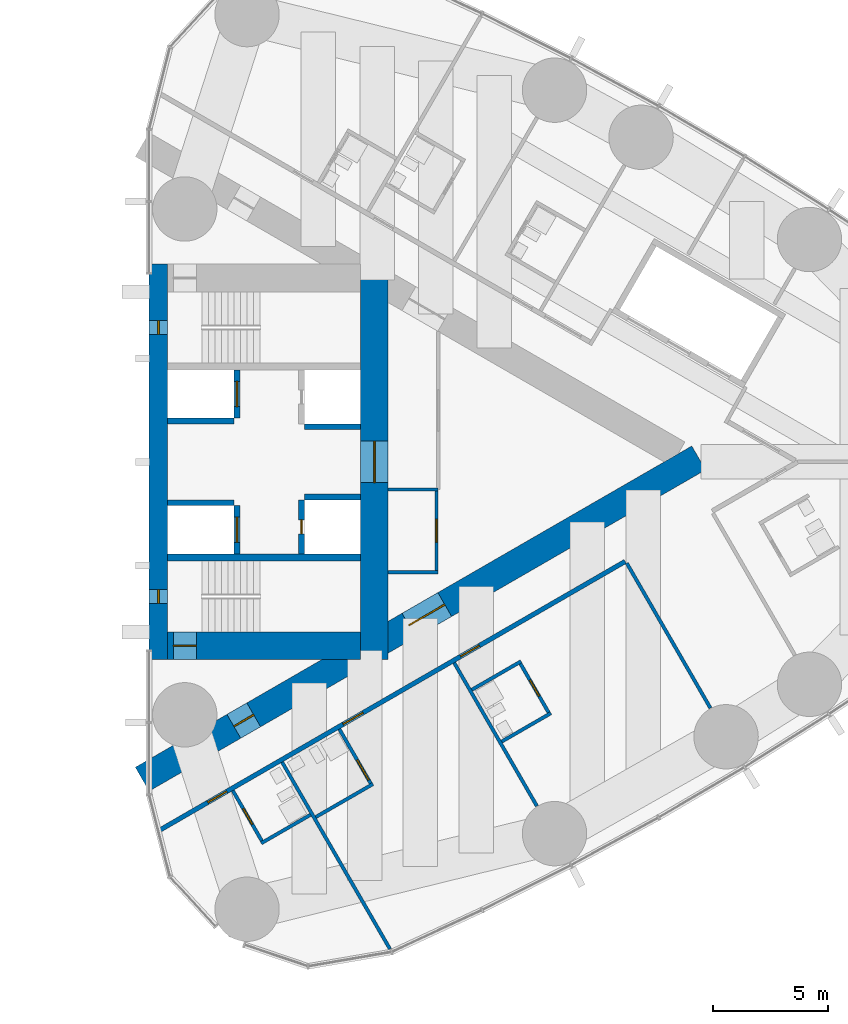
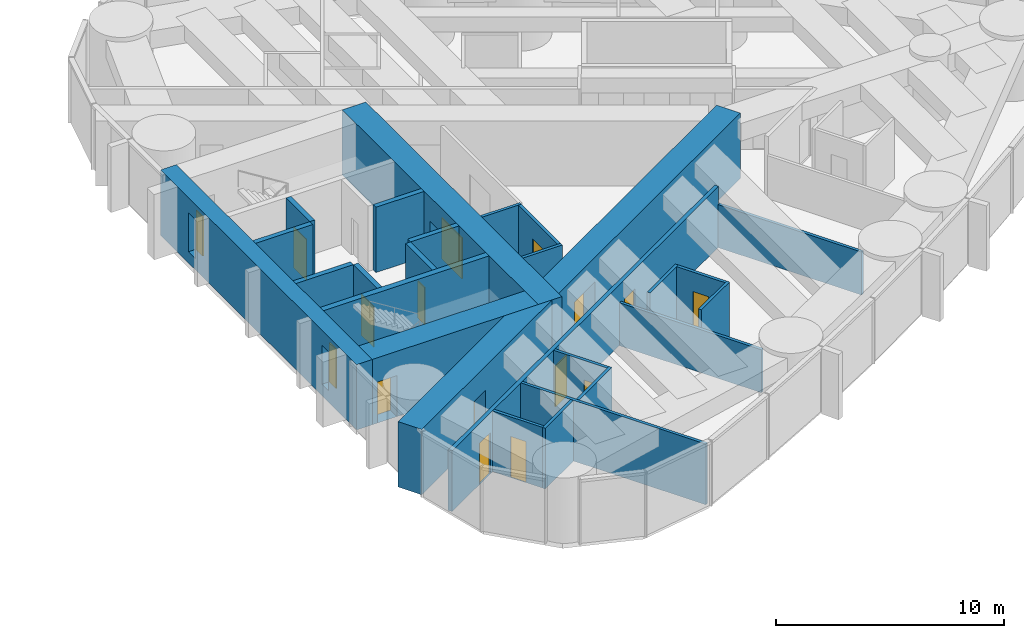
# One storey, part 14 of 19: 26 walls, 14 doors, 2 windows, 16 openings.
"""IFC4 building model written with IfcOpenShell, lengths in metres."""

import ifcopenshell
import ifcopenshell.guid

model = None  # the IFC model being written
_history = None  # IfcOwnerHistory: only IFC2X3 demands one
_inside = {}  # id of a spatial element -> (the spatial element, [elements in it])
_under = {}  # id of a project, library or spatial element -> (it, [spatial elements below it])
_declared = {}  # id of a project -> (the project, [libraries it declares])
_typed = {}  # id of a type object -> (the type object, [elements of that type])
_made_of = {}  # id of a material, layer set ... -> (it, [elements and type objects made of it])


def new_model(schema):
    """Start an empty IFC model of exactly this schema.

    Asked for "IFC4X3", IfcOpenShell would pick the latest addendum, in which some entities
    have other attributes; the version numbers below select the first issue.
    IFC2X3 requires an IfcOwnerHistory on every rooted entity: one is made here for all.
    """
    global model, _history
    if schema == "IFC4X3":
        model = ifcopenshell.file(schema_version=(4, 3, 0, 0))
    else:
        model = ifcopenshell.file(schema=schema)
    _inside.clear()
    _under.clear()
    _declared.clear()
    _typed.clear()
    _made_of.clear()
    _history = None
    if model.schema == "IFC2X3":
        org = make("IfcOrganization", Name="unknown")
        user = make(
            "IfcPersonAndOrganization",
            ThePerson=make("IfcPerson", FamilyName="unknown"),
            TheOrganization=org,
        )
        app = make(
            "IfcApplication",
            ApplicationDeveloper=org,
            Version="unknown",
            ApplicationFullName="unknown",
            ApplicationIdentifier="unknown",
        )
        _history = make(
            "IfcOwnerHistory",
            OwningUser=user,
            OwningApplication=app,
            ChangeAction="ADDED",
            CreationDate=0,
        )
    return model


def make(cls, **values):
    """One entity of the class cls with the attributes given. An attribute that is None is left unset."""
    return model.create_entity(
        cls, **{name: value for name, value in values.items() if value is not None}
    )


def rooted(cls, **values):
    """An entity with a GlobalId (a new one), such as an element, a storey or a relation."""
    return make(cls, GlobalId=ifcopenshell.guid.new(), OwnerHistory=_history, **values)


def si_unit(unit_type, name, prefix=None):
    """IfcSIUnit, for example si_unit("LENGTHUNIT", "METRE", prefix="MILLI")."""
    return make("IfcSIUnit", UnitType=unit_type, Prefix=prefix, Name=name)


def assignment(units):
    """IfcUnitAssignment: the units of a project."""
    return None if units is None else make("IfcUnitAssignment", Units=units)


def point(xyz):
    """IfcCartesianPoint."""
    return None if xyz is None else make("IfcCartesianPoint", Coordinates=xyz)


def direction(xyz):
    """IfcDirection."""
    return None if xyz is None else make("IfcDirection", DirectionRatios=xyz)


def frame(location, z_axis=None, x_axis=None):
    """IfcAxis2Placement3D, a coordinate frame: its origin and axes. An axis left out is left unset."""
    return make(
        "IfcAxis2Placement3D",
        Location=point(location),
        Axis=direction(z_axis),
        RefDirection=direction(x_axis),
    )


def frame_2d(location, x_axis=None):
    """IfcAxis2Placement2D, a coordinate frame in the plane: its origin and x axis."""
    return make(
        "IfcAxis2Placement2D", Location=point(location), RefDirection=direction(x_axis)
    )


def origin():
    """The frame at (0, 0, 0) with its axes left unset."""
    return frame((0.0, 0.0, 0.0))


def place(relative_to, where):
    """IfcLocalPlacement: puts the frame where relative to a parent placement (None: the world)."""
    return make(
        "IfcLocalPlacement", PlacementRelTo=relative_to, RelativePlacement=where
    )


def context(
    kind, dimensions, precision=None, world=None, true_north=None, identifier=None
):
    """IfcGeometricRepresentationContext, for example the 3D "Model" context."""
    return make(
        "IfcGeometricRepresentationContext",
        ContextIdentifier=identifier,
        ContextType=kind,
        CoordinateSpaceDimension=dimensions,
        Precision=precision,
        WorldCoordinateSystem=world,
        TrueNorth=true_north,
    )


def subcontext(parent, identifier, kind, view, scale=None):
    """IfcGeometricRepresentationSubContext, for example "Body" below "Model"."""
    return make(
        "IfcGeometricRepresentationSubContext",
        ContextIdentifier=identifier,
        ContextType=kind,
        ParentContext=parent,
        TargetScale=scale,
        TargetView=view,
    )


def project(units=None, contexts=None):
    """IfcProject with its units and contexts."""
    return rooted(
        "IfcProject",
        Name="project",
        RepresentationContexts=contexts,
        UnitsInContext=assignment(units),
    )


def spatial(cls, under=None, at=None, **own):
    """A site, building, storey or space (cls), placed at a placement, below another one or the project."""
    s = rooted(cls, ObjectPlacement=at, **own)
    if under is not None:
        _under.setdefault(under.id(), (under, []))[1].append(s)
    return s


def profile(cls, at=None, kind="AREA", **sizes):
    """A parametric profile (cls). Its sizes go by their IFC names, for example OverallWidth=200.0."""
    return make(cls, ProfileType=kind, Position=at, **sizes)


def rectangle(**sizes):
    """IfcRectangleProfileDef."""
    return profile("IfcRectangleProfileDef", **sizes)


def extrude(swept, where, along, depth):
    """IfcExtrudedAreaSolid: the profile swept, set in the frame where, extruded along a direction by depth."""
    return make(
        "IfcExtrudedAreaSolid",
        SweptArea=swept,
        Position=where,
        ExtrudedDirection=direction(along),
        Depth=depth,
    )


def shape(context_of_items, identifier, shape_type, items):
    """IfcShapeRepresentation: the items that make up one representation, for example the "Body"."""
    return make(
        "IfcShapeRepresentation",
        ContextOfItems=context_of_items,
        RepresentationIdentifier=identifier,
        RepresentationType=shape_type,
        Items=items,
    )


def material(Name=None, Category=None):
    """IfcMaterial."""
    return make("IfcMaterial", Name=Name, Category=Category)


def layer(
    of_material, thickness, ventilated=None, Name=None, Category=None, Priority=None
):
    """IfcMaterialLayer: one layer of a wall or slab, of a material (None: an air gap)."""
    return make(
        "IfcMaterialLayer",
        Material=of_material,
        LayerThickness=thickness,
        IsVentilated=ventilated,
        Name=Name,
        Category=Category,
        Priority=Priority,
    )


def layer_set(layers, Name=None):
    """IfcMaterialLayerSet."""
    return make("IfcMaterialLayerSet", MaterialLayers=layers, LayerSetName=Name)


def made_of(thing, what):
    """Note that an element or type object is made of a material, layer set ...; save() writes the relation."""
    if what is not None:
        _made_of.setdefault(what.id(), (what, []))[1].append(thing)
    return thing


def type_object(cls, material=None, **own):
    """A type object (cls), such as IfcWallType, which elements share."""
    return made_of(rooted(cls, **own), material)


def element(
    cls,
    number,
    at=None,
    inside=None,
    cuts=None,
    type_object=None,
    material=None,
    context=None,
    identifier="Body",
    shape_type=None,
    held_by="IfcProductDefinitionShape",
    body=None,
    shapes=None,
    **own,
):
    """One element of the class cls, such as IfcWall. Its Tag is "e" and its number.

    at: its placement. inside: the storey or other place that contains it. cuts: it is an
    opening in that element (IfcRelVoidsElement). A single representation is given by context,
    identifier, shape_type and body (its items); several are given by shapes. held_by: the class
    of the entity that holds the representations. save() writes the other relations.
    """
    e = rooted(cls, Tag="e%d" % number, ObjectPlacement=at, **own)
    if body is not None:
        shapes = [shape(context, identifier, shape_type, body)]
    if shapes is not None:
        e.Representation = make(held_by, Representations=shapes)
    if inside is not None:
        _inside.setdefault(inside.id(), (inside, []))[1].append(e)
    if cuts is not None:
        rooted(
            "IfcRelVoidsElement", RelatingBuildingElement=cuts, RelatedOpeningElement=e
        )
    if type_object is not None:
        _typed.setdefault(type_object.id(), (type_object, []))[1].append(e)
    return made_of(e, material)


def fill(opening, filler):
    """IfcRelFillsElement: the door or window that sits in an opening."""
    return rooted(
        "IfcRelFillsElement",
        RelatingOpeningElement=opening,
        RelatedBuildingElement=filler,
    )


def aggregate(whole, parts):
    """IfcRelAggregates: a whole, such as a stair, and the parts it consists of."""
    return rooted("IfcRelAggregates", RelatingObject=whole, RelatedObjects=parts)


def save(model, path):
    """Write the relations noted so far, then the file.

    IfcRelAggregates (storeys below a building ...), IfcRelContainedInSpatialStructure (elements
    in a storey), IfcRelDefinesByType, IfcRelAssociatesMaterial and IfcRelDeclares: one each for
    every whole, place, type object, material and project.
    """
    for whole, parts in _under.values():
        aggregate(whole, parts)
    for where, things in _inside.values():
        rooted(
            "IfcRelContainedInSpatialStructure",
            RelatedElements=things,
            RelatingStructure=where,
        )
    for kind, things in _typed.values():
        rooted("IfcRelDefinesByType", RelatedObjects=things, RelatingType=kind)
    for what, things in _made_of.values():
        rooted("IfcRelAssociatesMaterial", RelatedObjects=things, RelatingMaterial=what)
    for by, libraries in _declared.values():
        rooted("IfcRelDeclares", RelatingContext=by, RelatedDefinitions=libraries)
    model.write(path)


model = new_model("IFC4")

# Units and contexts
model_context = context("Model", 3, precision=1e-05, world=origin(), true_north=direction((0.0, 1.0)))
body_context = subcontext(model_context, "Body", "Model", "MODEL_VIEW")
ifc_project = project(units=[si_unit("LENGTHUNIT", "METRE"), si_unit("AREAUNIT", "SQUARE_METRE"), si_unit("VOLUMEUNIT", "CUBIC_METRE"), si_unit("PLANEANGLEUNIT", "RADIAN"), si_unit("MASSUNIT", "GRAM", prefix="KILO")], contexts=[model_context])

# Site, building, storey
site_placement = place(None, origin())
site = spatial("IfcSite", under=ifc_project, at=site_placement, CompositionType="ELEMENT")
building_placement = place(site_placement, origin())
building = spatial("IfcBuilding", under=site, at=building_placement, Name="Lancet Gate Hotel", CompositionType="ELEMENT")
storey_placement = place(building_placement, frame((0.0, 0.0, 184.300048828125)))
storey = spatial("IfcBuildingStorey", under=building, at=storey_placement, Name="L49", CompositionType="ELEMENT", Elevation=184.300048828125)

# Wall
ifc_material_1 = material(Name="Moisture resistant board partition")
ifc_layer_1 = layer(ifc_material_1, 0.14990234375)
ifc_layer_set_1 = layer_set([ifc_layer_1], Name="Bathroom wall 150")
wall_type_1 = type_object("IfcWallType", Name="Bathroom wall 150", PredefinedType="PARTITIONING", material=ifc_layer_set_1)
wall_1_placement = place(storey_placement, frame((32.375244140625, -16.58544921875, 0.0), z_axis=(0.0, 0.0, 1.0), x_axis=(0.86604923931, 0.499958713387, 0.0)))
element("IfcWall", 1, at=wall_1_placement, inside=storey, type_object=wall_type_1, Name="T2 bathroom wall 150 L49", PredefinedType="PARTITIONING", context=body_context, shape_type="SweptSolid", body=[
    extrude(rectangle(XDim=2.474853515625, YDim=0.14990234375, at=frame_2d((1.2373046875, 0.0))), origin(), (0.0, 0.0, 1.0), 3.25),
])

# Wall, opening, door
wall_2_placement = place(storey_placement, frame((31.14013671875, -14.29638671875, 0.0), z_axis=(0.0, 0.0, 1.0), x_axis=(0.500006934395, -0.866021400173, 0.0)))
wall_2 = element("IfcWall", 2, at=wall_2_placement, inside=storey, type_object=wall_type_1, Name="T2 bathroom wall 150 L49", PredefinedType="PARTITIONING", context=body_context, shape_type="SweptSolid", body=[
    extrude(rectangle(XDim=2.60009765625, YDim=0.14990234375, at=frame_2d((1.300048828125, 0.0))), origin(), (0.0, 0.0, 1.0), 3.25),
])
opening_1_placement = place(wall_2_placement, frame((0.89990234375, 0.0, 0.0)))
opening_1 = element("IfcOpeningElement", 3, at=opening_1_placement, cuts=wall_2, Name="Opening 4951-B", PredefinedType="OPENING", context=body_context, shape_type="SweptSolid", body=[
    extrude(rectangle(XDim=0.800048828125, YDim=2.199951171875, at=frame_2d((0.39990234375, 1.10009765625))), frame((0.0, 0.0849609375, 0.0), z_axis=(0.0, -1.0, 0.0), x_axis=(1.0, 0.0, 0.0)), (0.0, 0.0, 1.0), 0.169921875),
])
ifc_material_2 = material(Name="Timber door set", Category="wood")
door_type_1 = type_object("IfcDoorType", Name="Bathroom door 800", OperationType="SINGLE_SWING_RIGHT", PredefinedType="DOOR", material=ifc_material_2)
door_1_placement = place(opening_1_placement, origin())
door_1 = element("IfcDoor", 4, at=door_1_placement, inside=storey, type_object=door_type_1, Name="4951-B", OperationType="SINGLE_SWING_RIGHT", OverallHeight=2.199951171875, OverallWidth=0.800048828125, PredefinedType="DOOR", context=body_context, shape_type="SweptSolid", body=[
    extrude(rectangle(XDim=0.800048828125, YDim=2.199951171875, at=frame_2d((0.39990234375, 1.10009765625))), frame((0.0, 0.02490234375, 0.0), z_axis=(0.0, -1.0, 0.0), x_axis=(1.0, 0.0, 0.0)), (0.0, 0.0, 1.0), 0.050048828125),
])
fill(opening_1, door_1)

# Wall
wall_3_placement = place(storey_placement, frame((34.74853515625, -15.4462890625, 0.0), z_axis=(0.0, 0.0, 1.0), x_axis=(0.866018712932, 0.500011588718, 0.0)))
element("IfcWall", 5, at=wall_3_placement, inside=storey, type_object=wall_type_1, Name="T2 bathroom wall 150 L49", PredefinedType="PARTITIONING", context=body_context, shape_type="SweptSolid", body=[
    extrude(rectangle(XDim=2.875, YDim=0.14990234375, at=frame_2d((1.4375, 0.0))), origin(), (0.0, 0.0, 1.0), 3.25),
])

# Wall, opening, door
wall_4_placement = place(storey_placement, frame((35.7734375, -11.621337890625, 0.0), z_axis=(0.0, 0.0, 1.0), x_axis=(0.49998411664, -0.866034573852, 0.0)))
wall_4 = element("IfcWall", 6, at=wall_4_placement, inside=storey, type_object=wall_type_1, Name="T2 bathroom wall 150 L49", PredefinedType="PARTITIONING", context=body_context, shape_type="SweptSolid", body=[
    extrude(rectangle(XDim=2.7998046875, YDim=0.14990234375, at=frame_2d((1.39990234375, 0.0))), origin(), (0.0, 0.0, 1.0), 3.25),
])
opening_2_placement = place(wall_4_placement, frame((1.550048828125, 0.0, 0.0)))
opening_2 = element("IfcOpeningElement", 7, at=opening_2_placement, cuts=wall_4, Name="Opening 4952-B", PredefinedType="OPENING", context=body_context, shape_type="SweptSolid", body=[
    extrude(rectangle(XDim=1.0, YDim=2.199951171875, at=frame_2d((0.5, 1.10009765625))), frame((0.0, 0.0849609375, 0.0), z_axis=(0.0, -1.0, 0.0), x_axis=(1.0, 0.0, 0.0)), (0.0, 0.0, 1.0), 0.169921875),
])
ifc_material_3 = material(Name="Timber door set", Category="wood")
door_type_2 = type_object("IfcDoorType", Name="Accessible en-suite door 1000", OperationType="SINGLE_SWING_RIGHT", PredefinedType="DOOR", material=ifc_material_3)
door_2_placement = place(opening_2_placement, origin())
door_2 = element("IfcDoor", 8, at=door_2_placement, inside=storey, type_object=door_type_2, Name="4952-B", OperationType="SINGLE_SWING_RIGHT", OverallHeight=2.199951171875, OverallWidth=1.0, PredefinedType="DOOR", context=body_context, shape_type="SweptSolid", body=[
    extrude(rectangle(XDim=1.0, YDim=2.199951171875, at=frame_2d((0.5, 1.10009765625))), frame((0.0, 0.02490234375, 0.0), z_axis=(0.0, -1.0, 0.0), x_axis=(1.0, 0.0, 0.0)), (0.0, 0.0, 1.0), 0.050048828125),
])
fill(opening_2, door_2)

# Wall
wall_5_placement = place(storey_placement, frame((42.834228515625, -12.16357421875, 0.0), z_axis=(0.0, 0.0, 1.0), x_axis=(0.866031185235, 0.4999899861, 0.0)))
element("IfcWall", 9, at=wall_5_placement, inside=storey, type_object=wall_type_1, Name="T2 bathroom wall 150 L49", PredefinedType="PARTITIONING", context=body_context, shape_type="SweptSolid", body=[
    extrude(rectangle(XDim=2.47509765625, YDim=0.14990234375, at=frame_2d((1.237548828125, 0.0))), origin(), (0.0, 0.0, 1.0), 3.25),
])

# Wall, opening, door
wall_6_placement = place(storey_placement, frame((43.61279296875, -8.7119140625, 0.0), z_axis=(0.0, 0.0, 1.0), x_axis=(0.500006934395, -0.866021400173, 0.0)))
wall_6 = element("IfcWall", 10, at=wall_6_placement, inside=storey, type_object=wall_type_1, Name="T2 bathroom wall 150 L49", PredefinedType="PARTITIONING", context=body_context, shape_type="SweptSolid", body=[
    extrude(rectangle(XDim=2.60009765625, YDim=0.14990234375, at=frame_2d((1.300048828125, 0.0))), origin(), (0.0, 0.0, 1.0), 3.25),
])
opening_3_placement = place(wall_6_placement, frame((0.89990234375, 0.0, 0.0)))
opening_3 = element("IfcOpeningElement", 11, at=opening_3_placement, cuts=wall_6, Name="Opening 4954-B", PredefinedType="OPENING", context=body_context, shape_type="SweptSolid", body=[
    extrude(rectangle(XDim=0.800048828125, YDim=2.199951171875, at=frame_2d((0.39990234375, 1.10009765625))), frame((0.0, 0.0849609375, 0.0), z_axis=(0.0, -1.0, 0.0), x_axis=(1.0, 0.0, 0.0)), (0.0, 0.0, 1.0), 0.169921875),
])
door_3_placement = place(opening_3_placement, origin())
door_3 = element("IfcDoor", 12, at=door_3_placement, inside=storey, type_object=door_type_1, Name="4954-B", OperationType="SINGLE_SWING_RIGHT", OverallHeight=2.199951171875, OverallWidth=0.800048828125, PredefinedType="DOOR", context=body_context, shape_type="SweptSolid", body=[
    extrude(rectangle(XDim=0.800048828125, YDim=2.199951171875, at=frame_2d((0.39990234375, 1.10009765625))), frame((0.0, 0.02490234375, 0.0), z_axis=(0.0, -1.0, 0.0), x_axis=(1.0, 0.0, 0.0)), (0.0, 0.0, 1.0), 0.050048828125),
])
fill(opening_3, door_3)

# Wall
wall_7_placement = place(storey_placement, frame((41.5341796875, -9.911865234375, 0.0), z_axis=(0.0, 0.0, 1.0), x_axis=(0.866031185235, 0.4999899861, 0.0)))
element("IfcWall", 13, at=wall_7_placement, inside=storey, type_object=wall_type_1, Name="T2 bathroom wall 150 L49", PredefinedType="PARTITIONING", context=body_context, shape_type="SweptSolid", body=[
    extrude(rectangle(XDim=2.47509765625, YDim=0.14990234375, at=frame_2d((1.237548828125, 0.0))), origin(), (0.0, 0.0, 1.0), 3.25),
])

# Wall, openings, doors
ifc_material_4 = material(Name="Concrete C70/85", Category="concrete")
ifc_layer_2 = layer(ifc_material_4, 1.199951171875)
ifc_layer_set_2 = layer_set([ifc_layer_2], Name="Buttress wall 1200")
wall_type_2 = type_object("IfcWallType", Name="Buttress wall 1200", PredefinedType="SHEAR", material=ifc_layer_set_2)
wall_8_placement = place(storey_placement, frame((27.199951171875, -13.800048828125, 0.0), z_axis=(0.0, 0.0, 1.0), x_axis=(0.866027159892, 0.499996958321, 0.0)))
wall_8 = element("IfcWall", 14, at=wall_8_placement, inside=storey, type_object=wall_type_2, Name="T2 buttress wall S L49", PredefinedType="SHEAR", context=body_context, shape_type="SweptSolid", body=[
    extrude(rectangle(XDim=27.946533203125, YDim=1.199951171875, at=frame_2d((13.97314453125, 0.0))), origin(), (0.0, 0.0, 1.0), 3.5),
])
opening_4_placement = place(wall_8_placement, frame((4.60009765625, 0.0, 0.0)))
opening_4 = element("IfcOpeningElement", 15, at=opening_4_placement, cuts=wall_8, Name="Opening T2-L49-LS", PredefinedType="OPENING", context=body_context, shape_type="SweptSolid", body=[
    extrude(rectangle(XDim=1.0, YDim=2.199951171875, at=frame_2d((0.5, 1.10009765625))), frame((0.0, 0.60986328125, 0.0), z_axis=(0.0, -1.0, 0.0), x_axis=(1.0, 0.0, 0.0)), (0.0, 0.0, 1.0), 1.219970703125),
])
opening_5_placement = place(wall_8_placement, frame((13.39453125, 0.0, 0.0)))
opening_5 = element("IfcOpeningElement", 16, at=opening_5_placement, cuts=wall_8, Name="Opening T2-L49-LHS", PredefinedType="OPENING", context=body_context, shape_type="SweptSolid", body=[
    extrude(rectangle(XDim=1.800048828125, YDim=2.199951171875, at=frame_2d((0.89990234375, 1.10009765625))), frame((0.0, 0.60986328125, 0.0), z_axis=(0.0, -1.0, 0.0), x_axis=(1.0, 0.0, 0.0)), (0.0, 0.0, 1.0), 1.219970703125),
])
ifc_material_5 = material(Name="Timber door set", Category="wood")
door_type_3 = type_object("IfcDoorType", Name="Lobby double door 1800", OperationType="DOUBLE_DOOR_SINGLE_SWING", PredefinedType="DOOR", material=ifc_material_5)
door_4_placement = place(opening_5_placement, origin())
door_4 = element("IfcDoor", 17, at=door_4_placement, inside=storey, type_object=door_type_3, Name="T2-L49-LHS", OperationType="DOUBLE_DOOR_SINGLE_SWING", OverallHeight=2.199951171875, OverallWidth=1.800048828125, PredefinedType="DOOR", context=body_context, shape_type="SweptSolid", body=[
    extrude(rectangle(XDim=1.800048828125, YDim=2.199951171875, at=frame_2d((0.89990234375, 1.10009765625))), frame((0.0, 0.02490234375, 0.0), z_axis=(0.0, -1.0, 0.0), x_axis=(1.0, 0.0, 0.0)), (0.0, 0.0, 1.0), 0.050048828125),
])
fill(opening_5, door_4)
ifc_material_6 = material(Name="Timber door set", Category="wood")
door_type_4 = type_object("IfcDoorType", Name="Stair lobby door 1000", OperationType="SINGLE_SWING_LEFT", PredefinedType="DOOR", material=ifc_material_6)
door_5_placement = place(opening_4_placement, origin())
door_5 = element("IfcDoor", 18, at=door_5_placement, inside=storey, type_object=door_type_4, Name="T2-L49-LS", OperationType="SINGLE_SWING_LEFT", OverallHeight=2.199951171875, OverallWidth=1.0, PredefinedType="DOOR", context=body_context, shape_type="SweptSolid", body=[
    extrude(rectangle(XDim=1.0, YDim=2.199951171875, at=frame_2d((0.5, 1.10009765625))), frame((0.0, 0.02490234375, 0.0), z_axis=(0.0, -1.0, 0.0), x_axis=(1.0, 0.0, 0.0)), (0.0, 0.0, 1.0), 0.050048828125),
])
fill(opening_4, door_5)

# Wall, opening, door
ifc_material_7 = material(Name="Concrete C70/85", Category="concrete")
ifc_layer_3 = layer(ifc_material_7, 1.199951171875)
ifc_layer_set_3 = layer_set([ifc_layer_3], Name="Core wall 1200")
wall_type_3 = type_object("IfcWallType", Name="Core wall 1200", PredefinedType="SHEAR", material=ifc_layer_set_3)
wall_9_placement = place(storey_placement, frame((37.300048828125, -8.60009765625, 0.0), z_axis=(0.0, 0.0, 1.0), x_axis=(0.0, 1.0, 0.0)))
wall_9 = element("IfcWall", 19, at=wall_9_placement, inside=storey, type_object=wall_type_3, Name="T2 core wall back L49", PredefinedType="SHEAR", context=body_context, shape_type="SweptSolid", body=[
    extrude(rectangle(XDim=17.2001953125, YDim=1.199951171875, at=frame_2d((8.60009765625, 0.0))), origin(), (0.0, 0.0, 1.0), 3.5),
])
opening_6_placement = place(wall_9_placement, frame((7.699951171875, 0.0, 0.0)))
opening_6 = element("IfcOpeningElement", 20, at=opening_6_placement, cuts=wall_9, Name="Opening T2-L49-LL", PredefinedType="OPENING", context=body_context, shape_type="SweptSolid", body=[
    extrude(rectangle(XDim=1.800048828125, YDim=2.199951171875, at=frame_2d((0.89990234375, 1.10009765625))), frame((0.0, 0.60986328125, 0.0), z_axis=(0.0, -1.0, 0.0), x_axis=(1.0, 0.0, 0.0)), (0.0, 0.0, 1.0), 1.219970703125),
])
door_6_placement = place(opening_6_placement, origin())
door_6 = element("IfcDoor", 21, at=door_6_placement, inside=storey, type_object=door_type_3, Name="T2-L49-LL", OperationType="DOUBLE_DOOR_SINGLE_SWING", OverallHeight=2.199951171875, OverallWidth=1.800048828125, PredefinedType="DOOR", context=body_context, shape_type="SweptSolid", body=[
    extrude(rectangle(XDim=1.800048828125, YDim=2.199951171875, at=frame_2d((0.89990234375, 1.10009765625))), frame((0.0, 0.02490234375, 0.0), z_axis=(0.0, -1.0, 0.0), x_axis=(1.0, 0.0, 0.0)), (0.0, 0.0, 1.0), 0.050048828125),
])
fill(opening_6, door_6)

wall_10_placement = place(storey_placement, frame((28.300048828125, -8.0, 0.0), z_axis=(0.0, 0.0, 1.0), x_axis=(1.0, 0.0, 0.0)))
wall_10 = element("IfcWall", 22, at=wall_10_placement, inside=storey, type_object=wall_type_3, Name="T2 core wall side-S L49", PredefinedType="SHEAR", context=body_context, shape_type="SweptSolid", body=[
    extrude(rectangle(XDim=8.39990234375, YDim=1.199951171875, at=frame_2d((4.199951171875, 0.0))), origin(), (0.0, 0.0, 1.0), 3.5),
])
opening_7_placement = place(wall_10_placement, frame((0.25, 0.0, 0.0)))
opening_7 = element("IfcOpeningElement", 23, at=opening_7_placement, cuts=wall_10, Name="Opening T2-L49-ST1", PredefinedType="OPENING", context=body_context, shape_type="SweptSolid", body=[
    extrude(rectangle(XDim=1.0, YDim=2.199951171875, at=frame_2d((0.5, 1.10009765625))), frame((0.0, 0.60986328125, 0.0), z_axis=(0.0, -1.0, 0.0), x_axis=(1.0, 0.0, 0.0)), (0.0, 0.0, 1.0), 1.219970703125),
])
ifc_material_8 = material(Name="Timber door set", Category="wood")
door_type_5 = type_object("IfcDoorType", Name="Stair door 1000", OperationType="SINGLE_SWING_RIGHT", PredefinedType="DOOR", material=ifc_material_8)
door_7_placement = place(opening_7_placement, origin())
door_7 = element("IfcDoor", 24, at=door_7_placement, inside=storey, type_object=door_type_5, Name="T2-L49-ST1", OperationType="SINGLE_SWING_RIGHT", OverallHeight=2.199951171875, OverallWidth=1.0, PredefinedType="DOOR", context=body_context, shape_type="SweptSolid", body=[
    extrude(rectangle(XDim=1.0, YDim=2.199951171875, at=frame_2d((0.5, 1.10009765625))), frame((0.0, 0.02490234375, 0.0), z_axis=(0.0, -1.0, 0.0), x_axis=(1.0, 0.0, 0.0)), (0.0, 0.0, 1.0), 0.050048828125),
])
fill(opening_7, door_7)

# Wall, openings, windows
ifc_material_9 = material(Name="Concrete C70/85", Category="concrete")
ifc_layer_4 = layer(ifc_material_9, 0.800048828125)
ifc_layer_set_4 = layer_set([ifc_layer_4], Name="Core wall 800")
wall_type_4 = type_object("IfcWallType", Name="Core wall 800", PredefinedType="SHEAR", material=ifc_layer_set_4)
wall_11_placement = place(storey_placement, frame((27.89990234375, -8.60009765625, 0.0), z_axis=(0.0, 0.0, 1.0), x_axis=(0.0, 1.0, 0.0)))
wall_11 = element("IfcWall", 25, at=wall_11_placement, inside=storey, type_object=wall_type_4, Name="T2 core wall front L49", PredefinedType="SHEAR", context=body_context, shape_type="SweptSolid", body=[
    extrude(rectangle(XDim=17.2001953125, YDim=0.800048828125, at=frame_2d((8.60009765625, 0.0))), origin(), (0.0, 0.0, 1.0), 3.5),
])
opening_8_placement = place(wall_11_placement, frame((2.449951171875, 0.0, 0.60009765625)))
opening_8 = element("IfcOpeningElement", 26, at=opening_8_placement, cuts=wall_11, Name="Opening LW1", PredefinedType="OPENING", context=body_context, shape_type="SweptSolid", body=[
    extrude(rectangle(XDim=0.60009765625, YDim=2.10009765625, at=frame_2d((0.300048828125, 1.050048828125))), frame((0.0, 0.409912109375, 0.0), z_axis=(0.0, -1.0, 0.0), x_axis=(1.0, 0.0, 0.0)), (0.0, 0.0, 1.0), 0.820068359375),
])
opening_9_placement = place(wall_11_placement, frame((14.14990234375, 0.0, 0.60009765625)))
opening_9 = element("IfcOpeningElement", 27, at=opening_9_placement, cuts=wall_11, Name="Opening LW1", PredefinedType="OPENING", context=body_context, shape_type="SweptSolid", body=[
    extrude(rectangle(XDim=0.60009765625, YDim=2.10009765625, at=frame_2d((0.300048828125, 1.050048828125))), frame((0.0, 0.409912109375, 0.0), z_axis=(0.0, -1.0, 0.0), x_axis=(1.0, 0.0, 0.0)), (0.0, 0.0, 1.0), 0.820068359375),
])
ifc_material_10 = material(Name="Fire-resisting glazed steel window", Category="steel")
window_type = type_object("IfcWindowType", Name="Lancet window 600x2100", PartitioningType="SINGLE_PANEL", PredefinedType="WINDOW", material=ifc_material_10)
window_1_placement = place(opening_8_placement, origin())
window_1 = element("IfcWindow", 28, at=window_1_placement, inside=storey, type_object=window_type, Name="T2 stair window S L49", OverallHeight=2.10009765625, OverallWidth=0.60009765625, PartitioningType="SINGLE_PANEL", PredefinedType="WINDOW", context=body_context, shape_type="SweptSolid", body=[
    extrude(rectangle(XDim=0.60009765625, YDim=2.10009765625, at=frame_2d((0.300048828125, 1.050048828125))), frame((0.0, 0.030029296875, 0.0), z_axis=(0.0, -1.0, 0.0), x_axis=(1.0, 0.0, 0.0)), (0.0, 0.0, 1.0), 0.06005859375),
])
fill(opening_8, window_1)
window_2_placement = place(opening_9_placement, origin())
window_2 = element("IfcWindow", 29, at=window_2_placement, inside=storey, type_object=window_type, Name="T2 stair window N L49", OverallHeight=2.10009765625, OverallWidth=0.60009765625, PartitioningType="SINGLE_PANEL", PredefinedType="WINDOW", context=body_context, shape_type="SweptSolid", body=[
    extrude(rectangle(XDim=0.60009765625, YDim=2.10009765625, at=frame_2d((0.300048828125, 1.050048828125))), frame((0.0, 0.030029296875, 0.0), z_axis=(0.0, -1.0, 0.0), x_axis=(1.0, 0.0, 0.0)), (0.0, 0.0, 1.0), 0.06005859375),
])
fill(opening_9, window_2)

# Wall, openings, doors
ifc_material_11 = material(Name="Gypsum board partition")
ifc_layer_5 = layer(ifc_material_11, 0.199951171875)
ifc_layer_set_5 = layer_set([ifc_layer_5], Name="Corridor wall 200")
wall_type_5 = type_object("IfcWallType", Name="Corridor wall 200", PredefinedType="PARTITIONING", material=ifc_layer_set_5)
wall_12_placement = place(storey_placement, frame((27.95947265625, -16.017333984375, 0.0), z_axis=(0.0, 0.0, 1.0), x_axis=(0.866024180982, 0.50000211795, 0.0)))
wall_12 = element("IfcWall", 30, at=wall_12_placement, inside=storey, type_object=wall_type_5, Name="T2 corridor wall 200 L49", PredefinedType="PARTITIONING", context=body_context, shape_type="SweptSolid", body=[
    extrude(rectangle(XDim=23.37548828125, YDim=0.199951171875, at=frame_2d((11.687744140625, 0.0))), origin(), (0.0, 0.0, 1.0), 3.25),
])
opening_10_placement = place(wall_12_placement, frame((2.4150390625, 0.0, 0.0)))
opening_10 = element("IfcOpeningElement", 31, at=opening_10_placement, cuts=wall_12, Name="Opening 4951-E", PredefinedType="OPENING", context=body_context, shape_type="SweptSolid", body=[
    extrude(rectangle(XDim=0.949951171875, YDim=2.199951171875, at=frame_2d((0.47509765625, 1.10009765625))), frame((0.0, 0.10986328125, 0.0), z_axis=(0.0, -1.0, 0.0), x_axis=(1.0, 0.0, 0.0)), (0.0, 0.0, 1.0), 0.219970703125),
])
opening_11_placement = place(wall_12_placement, frame((9.215087890625, 0.0, 0.0)))
opening_11 = element("IfcOpeningElement", 32, at=opening_11_placement, cuts=wall_12, Name="Opening 4952-E", PredefinedType="OPENING", context=body_context, shape_type="SweptSolid", body=[
    extrude(rectangle(XDim=1.0, YDim=2.199951171875, at=frame_2d((0.5, 1.10009765625))), frame((0.0, 0.10986328125, 0.0), z_axis=(0.0, -1.0, 0.0), x_axis=(1.0, 0.0, 0.0)), (0.0, 0.0, 1.0), 0.219970703125),
])
opening_12_placement = place(wall_12_placement, frame((15.10888671875, 0.0, 0.0)))
opening_12 = element("IfcOpeningElement", 33, at=opening_12_placement, cuts=wall_12, Name="Opening 4954-E", PredefinedType="OPENING", context=body_context, shape_type="SweptSolid", body=[
    extrude(rectangle(XDim=0.949951171875, YDim=2.199951171875, at=frame_2d((0.47509765625, 1.10009765625))), frame((0.0, 0.10986328125, 0.0), z_axis=(0.0, -1.0, 0.0), x_axis=(1.0, 0.0, 0.0)), (0.0, 0.0, 1.0), 0.219970703125),
])
ifc_material_12 = material(Name="Timber door set", Category="wood")
door_type_6 = type_object("IfcDoorType", Name="Accessible guest room door 1000", OperationType="SINGLE_SWING_LEFT", PredefinedType="DOOR", material=ifc_material_12)
door_8_placement = place(opening_11_placement, origin())
door_8 = element("IfcDoor", 34, at=door_8_placement, inside=storey, type_object=door_type_6, Name="4952-E", OperationType="SINGLE_SWING_LEFT", OverallHeight=2.199951171875, OverallWidth=1.0, PredefinedType="DOOR", context=body_context, shape_type="SweptSolid", body=[
    extrude(rectangle(XDim=1.0, YDim=2.199951171875, at=frame_2d((0.5, 1.10009765625))), frame((0.0, 0.02490234375, 0.0), z_axis=(0.0, -1.0, 0.0), x_axis=(1.0, 0.0, 0.0)), (0.0, 0.0, 1.0), 0.050048828125),
])
fill(opening_11, door_8)
ifc_material_13 = material(Name="Timber door set", Category="wood")
door_type_7 = type_object("IfcDoorType", Name="Guest room entry door 950", OperationType="SINGLE_SWING_LEFT", PredefinedType="DOOR", material=ifc_material_13)
door_9_placement = place(opening_10_placement, origin())
door_9 = element("IfcDoor", 35, at=door_9_placement, inside=storey, type_object=door_type_7, Name="4951-E", OperationType="SINGLE_SWING_LEFT", OverallHeight=2.199951171875, OverallWidth=0.949951171875, PredefinedType="DOOR", context=body_context, shape_type="SweptSolid", body=[
    extrude(rectangle(XDim=0.949951171875, YDim=2.199951171875, at=frame_2d((0.47509765625, 1.10009765625))), frame((0.0, 0.02490234375, 0.0), z_axis=(0.0, -1.0, 0.0), x_axis=(1.0, 0.0, 0.0)), (0.0, 0.0, 1.0), 0.050048828125),
])
fill(opening_10, door_9)
door_10_placement = place(opening_12_placement, origin())
door_10 = element("IfcDoor", 36, at=door_10_placement, inside=storey, type_object=door_type_7, Name="4954-E", OperationType="SINGLE_SWING_LEFT", OverallHeight=2.199951171875, OverallWidth=0.949951171875, PredefinedType="DOOR", context=body_context, shape_type="SweptSolid", body=[
    extrude(rectangle(XDim=0.949951171875, YDim=2.199951171875, at=frame_2d((0.47509765625, 1.10009765625))), frame((0.0, 0.02490234375, 0.0), z_axis=(0.0, -1.0, 0.0), x_axis=(1.0, 0.0, 0.0)), (0.0, 0.0, 1.0), 0.050048828125),
])
fill(opening_12, door_10)

# Wall, opening, door
ifc_material_14 = material(Name="Concrete C50/60", Category="concrete")
ifc_layer_6 = layer(ifc_material_14, 0.25)
ifc_layer_set_6 = layer_set([ifc_layer_6], Name="Lift shaft wall 250")
wall_type_6 = type_object("IfcWallType", Name="Lift shaft wall 250", PredefinedType="SHEAR", material=ifc_layer_set_6)
wall_13_placement = place(storey_placement, frame((31.324951171875, -4.0, 0.0), z_axis=(0.0, 0.0, 1.0), x_axis=(0.0, 1.0, 0.0)))
wall_13 = element("IfcWall", 37, at=wall_13_placement, inside=storey, type_object=wall_type_6, Name="T2 core wall row1-S L49", PredefinedType="SHEAR", context=body_context, shape_type="SweptSolid", body=[
    extrude(rectangle(XDim=2.10009765625, YDim=0.25, at=frame_2d((1.050048828125, 0.0))), origin(), (0.0, 0.0, 1.0), 3.5),
])
opening_13_placement = place(wall_13_placement, frame((0.5, 0.0, 0.0)))
opening_13 = element("IfcOpeningElement", 38, at=opening_13_placement, cuts=wall_13, Name="Opening T2-SL1-L49", PredefinedType="OPENING", context=body_context, shape_type="SweptSolid", body=[
    extrude(rectangle(XDim=1.10009765625, YDim=2.199951171875, at=frame_2d((0.550048828125, 1.10009765625))), frame((0.0, 0.135009765625, 0.0), z_axis=(0.0, -1.0, 0.0), x_axis=(1.0, 0.0, 0.0)), (0.0, 0.0, 1.0), 0.27001953125),
])
ifc_material_15 = material(Name="Timber door set", Category="wood")
door_type_8 = type_object("IfcDoorType", Name="Service lift landing door 1100", OperationType="SLIDING_TO_LEFT", PredefinedType="USERDEFINED", material=ifc_material_15)
door_11_placement = place(opening_13_placement, origin())
door_11 = element("IfcDoor", 39, at=door_11_placement, inside=storey, type_object=door_type_8, Name="T2-SL1-L49", ObjectType="LIFT LANDING DOOR", OperationType="SLIDING_TO_LEFT", OverallHeight=2.199951171875, OverallWidth=1.10009765625, PredefinedType="USERDEFINED", context=body_context, shape_type="SweptSolid", body=[
    extrude(rectangle(XDim=1.10009765625, YDim=2.199951171875, at=frame_2d((0.550048828125, 1.10009765625))), frame((0.0, 0.02490234375, 0.0), z_axis=(0.0, -1.0, 0.0), x_axis=(1.0, 0.0, 0.0)), (0.0, 0.0, 1.0), 0.050048828125),
])
fill(opening_13, door_11)

wall_14_placement = place(storey_placement, frame((34.125, -4.0, 0.0), z_axis=(0.0, 0.0, 1.0), x_axis=(0.0, 1.0, 0.0)))
wall_14 = element("IfcWall", 40, at=wall_14_placement, inside=storey, type_object=wall_type_6, Name="T2 core wall row2-S L49", PredefinedType="SHEAR", context=body_context, shape_type="SweptSolid", body=[
    extrude(rectangle(XDim=2.35009765625, YDim=0.25, at=frame_2d((1.175048828125, 0.0))), origin(), (0.0, 0.0, 1.0), 3.5),
])
opening_14_placement = place(wall_14_placement, frame((0.875, 0.0, 0.0)))
opening_14 = element("IfcOpeningElement", 41, at=opening_14_placement, cuts=wall_14, Name="Opening T2-OL3-L49-E", PredefinedType="OPENING", context=body_context, shape_type="SweptSolid", body=[
    extrude(rectangle(XDim=0.60009765625, YDim=2.0, at=frame_2d((0.300048828125, 1.0))), frame((0.0, 0.135009765625, 0.0), z_axis=(0.0, -1.0, 0.0), x_axis=(1.0, 0.0, 0.0)), (0.0, 0.0, 1.0), 0.27001953125),
])
ifc_material_16 = material(Name="Steel door set", Category="steel")
door_type_9 = type_object("IfcDoorType", Name="Lift shaft emergency door 600x2000", OperationType="SLIDING_TO_LEFT", PredefinedType="DOOR", material=ifc_material_16)
door_12_placement = place(opening_14_placement, origin())
door_12 = element("IfcDoor", 42, at=door_12_placement, inside=storey, type_object=door_type_9, Name="T2-OL3-L49-E", OperationType="SLIDING_TO_LEFT", OverallHeight=2.0, OverallWidth=0.60009765625, PredefinedType="DOOR", context=body_context, shape_type="SweptSolid", body=[
    extrude(rectangle(XDim=0.60009765625, YDim=2.0, at=frame_2d((0.300048828125, 1.0))), frame((0.0, 0.02490234375, 0.0), z_axis=(0.0, -1.0, 0.0), x_axis=(1.0, 0.0, 0.0)), (0.0, 0.0, 1.0), 0.050048828125),
])
fill(opening_14, door_12)

# Walls
wall_15_placement = place(storey_placement, frame((28.300048828125, -1.77490234375, 0.0), z_axis=(0.0, 0.0, 1.0), x_axis=(1.0, 0.0, 0.0)))
element("IfcWall", 43, at=wall_15_placement, inside=storey, type_object=wall_type_6, Name="T2 core wall pass1-S L49", PredefinedType="SHEAR", context=body_context, shape_type="SweptSolid", body=[
    extrude(rectangle(XDim=2.89990234375, YDim=0.25, at=frame_2d((1.449951171875, 0.0))), origin(), (0.0, 0.0, 1.0), 3.5),
])
wall_16_placement = place(storey_placement, frame((34.25, -1.52490234375, 0.0), z_axis=(0.0, 0.0, 1.0), x_axis=(1.0, 0.0, 0.0)))
element("IfcWall", 44, at=wall_16_placement, inside=storey, type_object=wall_type_6, Name="T2 core wall pass2-S L49", PredefinedType="SHEAR", context=body_context, shape_type="SweptSolid", body=[
    extrude(rectangle(XDim=2.449951171875, YDim=0.25, at=frame_2d((1.22509765625, 0.0))), origin(), (0.0, 0.0, 1.0), 3.5),
])

# Wall, opening, door
wall_17_placement = place(storey_placement, frame((31.324951171875, 1.89990234375, 0.0), z_axis=(0.0, 0.0, 1.0), x_axis=(0.0, 1.0, 0.0)))
wall_17 = element("IfcWall", 45, at=wall_17_placement, inside=storey, type_object=wall_type_6, Name="T2 core wall row1-N L49", PredefinedType="SHEAR", context=body_context, shape_type="SweptSolid", body=[
    extrude(rectangle(XDim=2.10009765625, YDim=0.25, at=frame_2d((1.050048828125, 0.0))), origin(), (0.0, 0.0, 1.0), 3.5),
])
opening_15_placement = place(wall_17_placement, frame((0.5, 0.0, 0.0)))
opening_15 = element("IfcOpeningElement", 46, at=opening_15_placement, cuts=wall_17, Name="Opening T2-FL2-L49", PredefinedType="OPENING", context=body_context, shape_type="SweptSolid", body=[
    extrude(rectangle(XDim=1.10009765625, YDim=2.199951171875, at=frame_2d((0.550048828125, 1.10009765625))), frame((0.0, 0.135009765625, 0.0), z_axis=(0.0, -1.0, 0.0), x_axis=(1.0, 0.0, 0.0)), (0.0, 0.0, 1.0), 0.27001953125),
])
ifc_material_17 = material(Name="Steel door set", Category="steel")
door_type_10 = type_object("IfcDoorType", Name="Firefighting lift landing door 1100", OperationType="SLIDING_TO_LEFT", PredefinedType="USERDEFINED", material=ifc_material_17)
door_13_placement = place(opening_15_placement, origin())
door_13 = element("IfcDoor", 47, at=door_13_placement, inside=storey, type_object=door_type_10, Name="T2-FL2-L49", ObjectType="LIFT LANDING DOOR", OperationType="SLIDING_TO_LEFT", OverallHeight=2.199951171875, OverallWidth=1.10009765625, PredefinedType="USERDEFINED", context=body_context, shape_type="SweptSolid", body=[
    extrude(rectangle(XDim=1.10009765625, YDim=2.199951171875, at=frame_2d((0.550048828125, 1.10009765625))), frame((0.0, 0.02490234375, 0.0), z_axis=(0.0, -1.0, 0.0), x_axis=(1.0, 0.0, 0.0)), (0.0, 0.0, 1.0), 0.050048828125),
])
fill(opening_15, door_13)

# Walls
wall_18_placement = place(storey_placement, frame((28.300048828125, 1.77490234375, 0.0), z_axis=(0.0, 0.0, 1.0), x_axis=(1.0, 0.0, 0.0)))
element("IfcWall", 48, at=wall_18_placement, inside=storey, type_object=wall_type_6, Name="T2 core wall pass1-N L49", PredefinedType="SHEAR", context=body_context, shape_type="SweptSolid", body=[
    extrude(rectangle(XDim=2.89990234375, YDim=0.25, at=frame_2d((1.449951171875, 0.0))), origin(), (0.0, 0.0, 1.0), 3.5),
])
wall_19_placement = place(storey_placement, frame((34.25, 1.52490234375, 0.0), z_axis=(0.0, 0.0, 1.0), x_axis=(1.0, 0.0, 0.0)))
element("IfcWall", 49, at=wall_19_placement, inside=storey, type_object=wall_type_6, Name="T2 core wall pass2-N L49", PredefinedType="SHEAR", context=body_context, shape_type="SweptSolid", body=[
    extrude(rectangle(XDim=2.449951171875, YDim=0.25, at=frame_2d((1.22509765625, 0.0))), origin(), (0.0, 0.0, 1.0), 3.5),
])
ifc_material_18 = material(Name="Gypsum board partition")
ifc_layer_7 = layer(ifc_material_18, 0.14990234375)
ifc_layer_set_7 = layer_set([ifc_layer_7], Name="Party wall 150")
wall_type_7 = type_object("IfcWallType", Name="Party wall 150", PredefinedType="PARTITIONING", material=ifc_layer_set_7)
wall_20_placement = place(storey_placement, frame((33.28369140625, -13.058837890625, 0.0), z_axis=(0.0, 0.0, 1.0), x_axis=(0.499985904184, -0.866033541855, 0.0)))
element("IfcWall", 50, at=wall_20_placement, inside=storey, type_object=wall_type_7, Name="T2 party wall 150 L49", PredefinedType="PARTITIONING", context=body_context, shape_type="SweptSolid", body=[
    extrude(rectangle(XDim=9.385498046875, YDim=0.14990234375, at=frame_2d((4.69287109375, 0.0))), origin(), (0.0, 0.0, 1.0), 3.25),
])
wall_21_placement = place(storey_placement, frame((40.769287109375, -8.737060546875, 0.0), z_axis=(0.0, 0.0, 1.0), x_axis=(0.500013115284, -0.866017831539, 0.0)))
element("IfcWall", 51, at=wall_21_placement, inside=storey, type_object=wall_type_7, Name="T2 party wall 150 L49", PredefinedType="PARTITIONING", context=body_context, shape_type="SweptSolid", body=[
    extrude(rectangle(XDim=7.197998046875, YDim=0.14990234375, at=frame_2d((3.59912109375, 0.0))), origin(), (0.0, 0.0, 1.0), 2.300048828125),
])
wall_22_placement = place(storey_placement, frame((48.274658203125, -4.40380859375, 0.0), z_axis=(0.0, 0.0, 1.0), x_axis=(0.500006004368, -0.866021937133, 0.0)))
element("IfcWall", 52, at=wall_22_placement, inside=storey, type_object=wall_type_7, Name="T2 party wall 150 L49", PredefinedType="PARTITIONING", context=body_context, shape_type="SweptSolid", body=[
    extrude(rectangle(XDim=7.279296875, YDim=0.14990234375, at=frame_2d((3.6396484375, 0.0))), origin(), (0.0, 0.0, 1.0), 2.300048828125),
])
ifc_material_19 = material(Name="Gypsum board partition")
ifc_layer_8 = layer(ifc_material_19, 0.14990234375)
ifc_layer_set_8 = layer_set([ifc_layer_8], Name="Service room wall 150")
wall_type_8 = type_object("IfcWallType", Name="Service room wall 150", PredefinedType="PARTITIONING", material=ifc_layer_set_8)
for number, where, z_axis, x_axis, name in (
    (53, (37.89990234375, -1.199951171875, 0.0), (0.0, 0.0, 1.0), (1.0, 0.0, 0.0), "T2 service room wall 150 L49"),
    (54, (37.89990234375, -4.800048828125, 0.0), (0.0, 0.0, 1.0), (1.0, 0.0, 0.0), "T2 service room wall 150 L49"),
):
    element("IfcWall", number, at=place(storey_placement, frame(where, z_axis=z_axis, x_axis=x_axis)), inside=storey, type_object=wall_type_8, Name=name, PredefinedType="PARTITIONING", context=body_context, shape_type="SweptSolid", body=[
        extrude(rectangle(XDim=2.175048828125, YDim=0.14990234375, at=frame_2d((1.08740234375, 0.0))), origin(), (0.0, 0.0, 1.0), 3.25),
    ])

# Wall, opening, door
wall_23_placement = place(storey_placement, frame((40.0, -4.875, 0.0), z_axis=(0.0, 0.0, 1.0), x_axis=(0.0, 1.0, 0.0)))
wall_23 = element("IfcWall", 55, at=wall_23_placement, inside=storey, type_object=wall_type_8, Name="T2 service room wall 150 L49", PredefinedType="PARTITIONING", context=body_context, shape_type="SweptSolid", body=[
    extrude(rectangle(XDim=3.75, YDim=0.14990234375, at=frame_2d((1.875, 0.0))), origin(), (0.0, 0.0, 1.0), 3.25),
])
opening_16_placement = place(wall_23_placement, frame((1.375, 0.0, 0.0)))
opening_16 = element("IfcOpeningElement", 56, at=opening_16_placement, cuts=wall_23, Name="Opening T2-L49-HRS0", PredefinedType="OPENING", context=body_context, shape_type="SweptSolid", body=[
    extrude(rectangle(XDim=1.0, YDim=2.199951171875, at=frame_2d((0.5, 1.10009765625))), frame((0.0, 0.0849609375, 0.0), z_axis=(0.0, -1.0, 0.0), x_axis=(1.0, 0.0, 0.0)), (0.0, 0.0, 1.0), 0.169921875),
])
ifc_material_20 = material(Name="Timber door set", Category="wood")
door_type_11 = type_object("IfcDoorType", Name="Service door 1000", OperationType="SINGLE_SWING_LEFT", PredefinedType="DOOR", material=ifc_material_20)
door_14_placement = place(opening_16_placement, origin())
door_14 = element("IfcDoor", 57, at=door_14_placement, inside=storey, type_object=door_type_11, Name="T2-L49-HRS0", OperationType="SINGLE_SWING_LEFT", OverallHeight=2.199951171875, OverallWidth=1.0, PredefinedType="DOOR", context=body_context, shape_type="SweptSolid", body=[
    extrude(rectangle(XDim=1.0, YDim=2.199951171875, at=frame_2d((0.5, 1.10009765625))), frame((0.0, 0.02490234375, 0.0), z_axis=(0.0, -1.0, 0.0), x_axis=(1.0, 0.0, 0.0)), (0.0, 0.0, 1.0), 0.050048828125),
])
fill(opening_16, door_14)

# Wall
ifc_material_21 = material(Name="Concrete C50/60", Category="concrete")
ifc_layer_9 = layer(ifc_material_21, 0.300048828125)
ifc_layer_set_9 = layer_set([ifc_layer_9], Name="Stair enclosure wall 300")
wall_type_9 = type_object("IfcWallType", Name="Stair enclosure wall 300", PredefinedType="SHEAR", material=ifc_layer_set_9)
wall_24_placement = place(storey_placement, frame((28.300048828125, -4.14990234375, 0.0), z_axis=(0.0, 0.0, 1.0), x_axis=(1.0, 0.0, 0.0)))
element("IfcWall", 58, at=wall_24_placement, inside=storey, type_object=wall_type_9, Name="T2 core wall stair-S L49", PredefinedType="SHEAR", context=body_context, shape_type="SweptSolid", body=[
    extrude(rectangle(XDim=8.39990234375, YDim=0.300048828125, at=frame_2d((4.199951171875, 0.0))), origin(), (0.0, 0.0, 1.0), 3.5),
])

save(model, "model.ifc")
